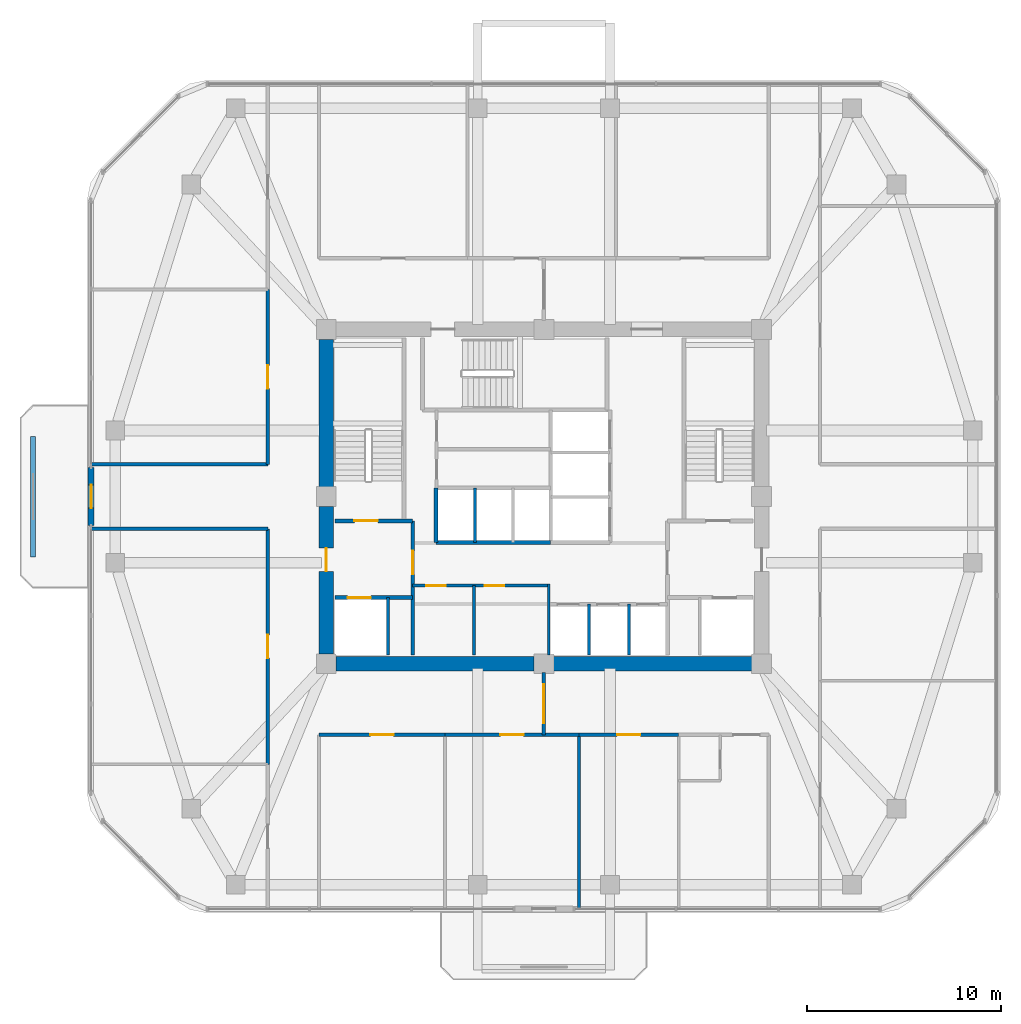
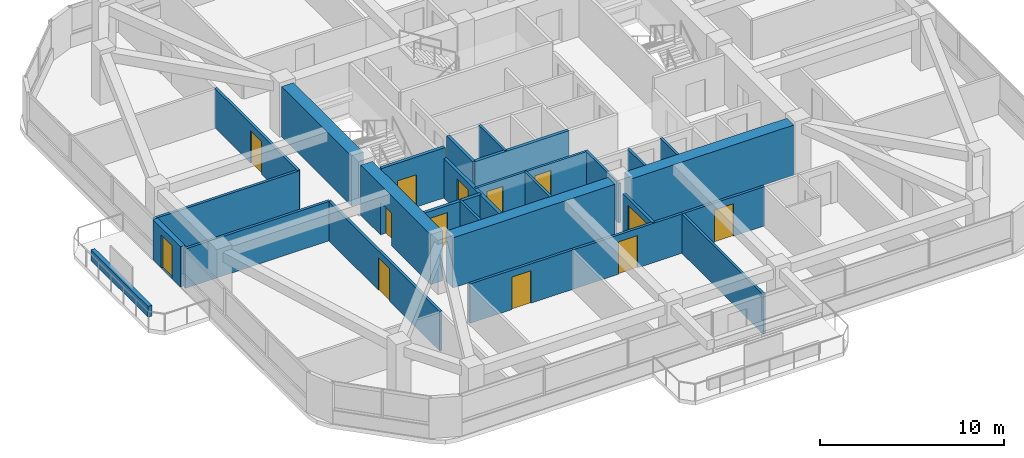
# One storey, part 7 of 12: 27 walls, 13 doors, 13 openings.
"""IFC4 building model written with IfcOpenShell, lengths in metres."""

from ifc_helpers import new_model, si_unit, derived_unit, direction, frame, frame_2d, origin, place, context, subcontext, project, spatial, rectangle, extrude, material, layer, layer_set, type_object, element, fill, save


model = new_model("IFC4")

# Units and contexts
model_context = context("Model", 3, precision=1e-05, world=origin(), true_north=direction((0.0, 1.0)))
body_context = subcontext(model_context, "Body", "Model", "MODEL_VIEW")
ifc_project = project(units=[si_unit("LENGTHUNIT", "METRE"), si_unit("AREAUNIT", "SQUARE_METRE"), si_unit("VOLUMEUNIT", "CUBIC_METRE"), si_unit("PLANEANGLEUNIT", "RADIAN"), si_unit("MASSUNIT", "GRAM", prefix="KILO"), derived_unit("THERMALTRANSMITTANCEUNIT", [(si_unit("POWERUNIT", "WATT"), 1), (si_unit("LENGTHUNIT", "METRE"), -2), (si_unit("THERMODYNAMICTEMPERATUREUNIT", "KELVIN"), -1)])], contexts=[model_context])

# Site, building, storey
site_placement = place(None, origin())
site = spatial("IfcSite", under=ifc_project, at=site_placement, CompositionType="ELEMENT")
building_placement = place(site_placement, origin())
building = spatial("IfcBuilding", under=site, at=building_placement, Name="Koralith Skygarden Medical Center", CompositionType="ELEMENT")
storey_placement = place(building_placement, frame((0.0, 0.0, 163.6201171875)))
storey = spatial("IfcBuildingStorey", under=building, at=storey_placement, Name="L42", CompositionType="ELEMENT", Elevation=163.6201171875)

# Wall, openings, doors
ifc_material_1 = material(Name="Gypsum Board Partition")
ifc_layer_1 = layer(ifc_material_1, 0.14990234375)
ifc_layer_set_1 = layer_set([ifc_layer_1], Name="Gypsum Board Partition")
wall_type_1 = type_object("IfcWallType", Name="Clinical Acoustic Partition 150", PredefinedType="PARTITIONING", material=ifc_layer_set_1)
wall_1_placement = place(storey_placement, frame((30.25, 21.320068359375, 0.0), z_axis=(0.0, 0.0, 1.0), x_axis=(1.0, 0.0, 0.0)))
wall_1 = element("IfcWall", 1, at=wall_1_placement, inside=storey, type_object=wall_type_1, Name="L42 Clinical Acoustic Partition 150 W-CORE-L42-FREED-LR-N", PredefinedType="PARTITIONING", context=body_context, shape_type="SweptSolid", body=[
    extrude(rectangle(XDim=7.0, YDim=0.14990234375, at=frame_2d((3.5, 0.0))), origin(), (0.0, 0.0, 1.0), 2.60986328125),
])
opening_1_placement = place(wall_1_placement, frame((0.699951171875, 0.0, 0.0)))
opening_1 = element("IfcOpeningElement", 2, at=opening_1_placement, cuts=wall_1, Name="Opening D-SUP", PredefinedType="OPENING", context=body_context, shape_type="SweptSolid", body=[
    extrude(rectangle(XDim=1.0, YDim=2.14990234375, at=frame_2d((0.5, 1.074951171875))), frame((0.0, 0.0849609375, 0.0), z_axis=(0.0, -1.0, 0.0), x_axis=(1.0, 0.0, 0.0)), (0.0, 0.0, 1.0), 0.169921875),
])
opening_2_placement = place(wall_1_placement, frame((3.699951171875, 0.0, 0.0)))
opening_2 = element("IfcOpeningElement", 3, at=opening_2_placement, cuts=wall_1, Name="Opening D-SUP", PredefinedType="OPENING", context=body_context, shape_type="SweptSolid", body=[
    extrude(rectangle(XDim=1.0, YDim=2.14990234375, at=frame_2d((0.5, 1.074951171875))), frame((0.0, 0.0849609375, 0.0), z_axis=(0.0, -1.0, 0.0), x_axis=(1.0, 0.0, 0.0)), (0.0, 0.0, 1.0), 0.169921875),
])
ifc_material_2 = material(Name="Aluminium 6063-T6", Category="aluminium")
door_type_1 = type_object("IfcDoorType", Name="Clinical Support Door D-SUP 1000", OperationType="NOTDEFINED", PredefinedType="DOOR", material=ifc_material_2)
door_1_placement = place(opening_1_placement, frame((1.0, 0.0, 0.0), z_axis=(0.0, 0.0, 1.0), x_axis=(-1.0, 0.0, 0.0)))
door_1 = element("IfcDoor", 4, at=door_1_placement, inside=storey, type_object=door_type_1, Name="L42 Medication Preparation Door", OperationType="SINGLE_SWING_LEFT", OverallHeight=2.14990234375, OverallWidth=1.0, PredefinedType="DOOR", context=body_context, shape_type="SweptSolid", body=[
    extrude(rectangle(XDim=1.0, YDim=2.14990234375, at=frame_2d((0.5, 1.074951171875))), frame((0.0, 0.02490234375, 0.0), z_axis=(0.0, -1.0, 0.0), x_axis=(1.0, 0.0, 0.0)), (0.0, 0.0, 1.0), 0.050048828125),
])
fill(opening_1, door_1)
door_2_placement = place(opening_2_placement, frame((1.0, 0.0, 0.0), z_axis=(0.0, 0.0, 1.0), x_axis=(-1.0, 0.0, 0.0)))
door_2 = element("IfcDoor", 5, at=door_2_placement, inside=storey, type_object=door_type_1, Name="L42 Telemetry Room Door", OperationType="SINGLE_SWING_RIGHT", OverallHeight=2.14990234375, OverallWidth=1.0, PredefinedType="DOOR", context=body_context, shape_type="SweptSolid", body=[
    extrude(rectangle(XDim=1.0, YDim=2.14990234375, at=frame_2d((0.5, 1.074951171875))), frame((0.0, 0.02490234375, 0.0), z_axis=(0.0, -1.0, 0.0), x_axis=(1.0, 0.0, 0.0)), (0.0, 0.0, 1.0), 0.050048828125),
])
fill(opening_2, door_2)

# Walls
wall_2_placement = place(storey_placement, frame((33.39990234375, 17.75, 0.0), z_axis=(0.0, 0.0, 1.0), x_axis=(0.0, 1.0, 0.0)))
element("IfcWall", 6, at=wall_2_placement, inside=storey, type_object=wall_type_1, Name="L42 Clinical Acoustic Partition 150 W-CORE-L42-FREED-LR-M", PredefinedType="PARTITIONING", context=body_context, shape_type="SweptSolid", body=[
    extrude(rectangle(XDim=3.570068359375, YDim=0.14990234375, at=frame_2d((1.78515625, 0.0))), origin(), (0.0, 0.0, 1.0), 2.60986328125),
])
wall_3_placement = place(storey_placement, frame((38.800048828125, 13.639892578125, 0.0), z_axis=(0.0, 0.0, 1.0), x_axis=(0.0, -1.0, 0.0)))
element("IfcWall", 7, at=wall_3_placement, inside=storey, type_object=wall_type_1, Name="L42 Clinical Acoustic Partition 150 W-PART-L42-S-02", PredefinedType="PARTITIONING", context=body_context, shape_type="SweptSolid", body=[
    extrude(rectangle(XDim=8.93994140625, YDim=0.14990234375, at=frame_2d((4.469970703125, 0.0))), origin(), (0.0, 0.0, 1.0), 2.60986328125),
])
ifc_layer_2 = layer(ifc_material_1, 0.1650390625)
ifc_layer_set_2 = layer_set([ifc_layer_2], Name="Gypsum Board Partition")
wall_type_2 = type_object("IfcWallType", Name="Clinical Corridor Partition 165", PredefinedType="PARTITIONING", material=ifc_layer_set_2)
for number, where, z_axis, x_axis, name in (
    (8, (13.716064453125, 24.239990234375, 0.0), (0.0, 0.0, 1.0), (1.0, 0.0, 0.0), "L42 Clinical Corridor Partition 165 W-HCOR-L42-EWS-W"),
    (9, (13.716064453125, 27.56005859375, 0.0), (0.0, 0.0, 1.0), (1.0, 0.0, 0.0), "L42 Clinical Corridor Partition 165 W-HCOR-L42-EWN-W"),
):
    element("IfcWall", number, at=place(storey_placement, frame(where, z_axis=z_axis, x_axis=x_axis)), inside=storey, type_object=wall_type_2, Name=name, PredefinedType="PARTITIONING", context=body_context, shape_type="SweptSolid", body=[
        extrude(rectangle(XDim=9.073974609375, YDim=0.1650390625, at=frame_2d((4.537109375, 0.0))), origin(), (0.0, 0.0, 1.0), 2.60986328125),
    ])

# Wall, opening, door
wall_4_placement = place(storey_placement, frame((25.429931640625, 13.639892578125, 0.0), z_axis=(0.0, 0.0, 1.0), x_axis=(1.0, 0.0, 0.0)))
wall_4 = element("IfcWall", 10, at=wall_4_placement, inside=storey, type_object=wall_type_2, Name="L42 Clinical Corridor Partition 165 W-CORR-L42-S-01", PredefinedType="PARTITIONING", context=body_context, shape_type="SweptSolid", body=[
    extrude(rectangle(XDim=6.484130859375, YDim=0.1650390625, at=frame_2d((3.2421875, 0.0))), origin(), (0.0, 0.0, 1.0), 2.60986328125),
])
opening_3_placement = place(wall_4_placement, frame((2.64208984375, 0.0, 0.0)))
opening_3 = element("IfcOpeningElement", 11, at=opening_3_placement, cuts=wall_4, Name="Opening D-CLN", PredefinedType="OPENING", context=body_context, shape_type="SweptSolid", body=[
    extrude(rectangle(XDim=1.199951171875, YDim=2.14990234375, at=frame_2d((0.60009765625, 1.074951171875))), frame((0.0, 0.092529296875, 0.0), z_axis=(0.0, -1.0, 0.0), x_axis=(1.0, 0.0, 0.0)), (0.0, 0.0, 1.0), 0.18505859375),
])
door_type_2 = type_object("IfcDoorType", Name="Clinical Corridor Door D-CLN 1200", OperationType="NOTDEFINED", PredefinedType="DOOR", material=ifc_material_2)
door_3_placement = place(opening_3_placement, frame((1.199951171875, 0.0, 0.0), z_axis=(0.0, 0.0, 1.0), x_axis=(-1.0, 0.0, 0.0)))
door_3 = element("IfcDoor", 12, at=door_3_placement, inside=storey, type_object=door_type_2, Name="L42 Clean Nursery Supply Store 04 Door", OperationType="SINGLE_SWING_LEFT", OverallHeight=2.14990234375, OverallWidth=1.199951171875, PredefinedType="DOOR", context=body_context, shape_type="SweptSolid", body=[
    extrude(rectangle(XDim=1.199951171875, YDim=2.14990234375, at=frame_2d((0.60009765625, 1.074951171875))), frame((0.0, 0.02490234375, 0.0), z_axis=(0.0, -1.0, 0.0), x_axis=(1.0, 0.0, 0.0)), (0.0, 0.0, 1.0), 0.050048828125),
])
fill(opening_3, door_3)

wall_5_placement = place(storey_placement, frame((31.9140625, 13.639892578125, 0.0), z_axis=(0.0, 0.0, 1.0), x_axis=(1.0, 0.0, 0.0)))
wall_5 = element("IfcWall", 13, at=wall_5_placement, inside=storey, type_object=wall_type_2, Name="L42 Clinical Corridor Partition 165 W-CORR-L42-S-02", PredefinedType="PARTITIONING", context=body_context, shape_type="SweptSolid", body=[
    extrude(rectangle(XDim=6.885986328125, YDim=0.1650390625, at=frame_2d((3.44287109375, 0.0))), origin(), (0.0, 0.0, 1.0), 2.60986328125),
])
opening_4_placement = place(wall_5_placement, frame((2.843017578125, 0.0, 0.0)))
opening_4 = element("IfcOpeningElement", 14, at=opening_4_placement, cuts=wall_5, Name="Opening D-CLN", PredefinedType="OPENING", context=body_context, shape_type="SweptSolid", body=[
    extrude(rectangle(XDim=1.199951171875, YDim=2.14990234375, at=frame_2d((0.60009765625, 1.074951171875))), frame((0.0, 0.092529296875, 0.0), z_axis=(0.0, -1.0, 0.0), x_axis=(1.0, 0.0, 0.0)), (0.0, 0.0, 1.0), 0.18505859375),
])
door_4_placement = place(opening_4_placement, frame((1.199951171875, 0.0, 0.0), z_axis=(0.0, 0.0, 1.0), x_axis=(-1.0, 0.0, 0.0)))
door_4 = element("IfcDoor", 15, at=door_4_placement, inside=storey, type_object=door_type_2, Name="L42 Patient and Family Sky-Garden Day Lounge 05 Door", OperationType="SINGLE_SWING_RIGHT", OverallHeight=2.14990234375, OverallWidth=1.199951171875, PredefinedType="DOOR", context=body_context, shape_type="SweptSolid", body=[
    extrude(rectangle(XDim=1.199951171875, YDim=2.14990234375, at=frame_2d((0.60009765625, 1.074951171875))), frame((0.0, 0.02490234375, 0.0), z_axis=(0.0, -1.0, 0.0), x_axis=(1.0, 0.0, 0.0)), (0.0, 0.0, 1.0), 0.050048828125),
])
fill(opening_4, door_4)

wall_6_placement = place(storey_placement, frame((38.800048828125, 13.639892578125, 0.0), z_axis=(0.0, 0.0, 1.0), x_axis=(1.0, 0.0, 0.0)))
wall_6 = element("IfcWall", 16, at=wall_6_placement, inside=storey, type_object=wall_type_2, Name="L42 Clinical Corridor Partition 165 W-CORR-L42-S-03", PredefinedType="PARTITIONING", context=body_context, shape_type="SweptSolid", body=[
    extrude(rectangle(XDim=5.135986328125, YDim=0.1650390625, at=frame_2d((2.56787109375, 0.0))), origin(), (0.0, 0.0, 1.0), 2.60986328125),
])
opening_5_placement = place(wall_6_placement, frame((1.968017578125, 0.0, 0.0)))
opening_5 = element("IfcOpeningElement", 17, at=opening_5_placement, cuts=wall_6, Name="Opening D-CLN", PredefinedType="OPENING", context=body_context, shape_type="SweptSolid", body=[
    extrude(rectangle(XDim=1.199951171875, YDim=2.14990234375, at=frame_2d((0.60009765625, 1.074951171875))), frame((0.0, 0.092529296875, 0.0), z_axis=(0.0, -1.0, 0.0), x_axis=(1.0, 0.0, 0.0)), (0.0, 0.0, 1.0), 0.18505859375),
])
door_5_placement = place(opening_5_placement, frame((1.199951171875, 0.0, 0.0), z_axis=(0.0, 0.0, 1.0), x_axis=(-1.0, 0.0, 0.0)))
door_5 = element("IfcDoor", 18, at=door_5_placement, inside=storey, type_object=door_type_2, Name="L42 Maternal Fetal Family Lounge 06 Door", OperationType="SINGLE_SWING_LEFT", OverallHeight=2.14990234375, OverallWidth=1.199951171875, PredefinedType="DOOR", context=body_context, shape_type="SweptSolid", body=[
    extrude(rectangle(XDim=1.199951171875, YDim=2.14990234375, at=frame_2d((0.60009765625, 1.074951171875))), frame((0.0, 0.02490234375, 0.0), z_axis=(0.0, -1.0, 0.0), x_axis=(1.0, 0.0, 0.0)), (0.0, 0.0, 1.0), 0.050048828125),
])
fill(opening_5, door_5)

wall_7_placement = place(storey_placement, frame((22.7900390625, 12.125, 0.0), z_axis=(0.0, 0.0, 1.0), x_axis=(0.0, 1.0, 0.0)))
wall_7 = element("IfcWall", 19, at=wall_7_placement, inside=storey, type_object=wall_type_2, Name="L42 Clinical Corridor Partition 165 W-CORR-L42-WS-02", PredefinedType="PARTITIONING", context=body_context, shape_type="SweptSolid", body=[
    extrude(rectangle(XDim=12.114990234375, YDim=0.1650390625, at=frame_2d((6.0576171875, 0.0))), origin(), (0.0, 0.0, 1.0), 2.60986328125),
])
opening_6_placement = place(wall_7_placement, frame((5.45703125, 0.0, 0.0)))
opening_6 = element("IfcOpeningElement", 20, at=opening_6_placement, cuts=wall_7, Name="Opening D-CLN", PredefinedType="OPENING", context=body_context, shape_type="SweptSolid", body=[
    extrude(rectangle(XDim=1.199951171875, YDim=2.14990234375, at=frame_2d((0.60009765625, 1.074951171875))), frame((0.0, 0.092529296875, 0.0), z_axis=(0.0, -1.0, 0.0), x_axis=(1.0, 0.0, 0.0)), (0.0, 0.0, 1.0), 0.18505859375),
])
door_6_placement = place(opening_6_placement, frame((1.199951171875, 0.0, 0.0), z_axis=(0.0, 0.0, 1.0), x_axis=(-1.0, 0.0, 0.0)))
door_6 = element("IfcDoor", 21, at=door_6_placement, inside=storey, type_object=door_type_2, Name="L42 Genetic Counseling Office 09 Door", OperationType="SINGLE_SWING_RIGHT", OverallHeight=2.14990234375, OverallWidth=1.199951171875, PredefinedType="DOOR", context=body_context, shape_type="SweptSolid", body=[
    extrude(rectangle(XDim=1.199951171875, YDim=2.14990234375, at=frame_2d((0.60009765625, 1.074951171875))), frame((0.0, 0.02490234375, 0.0), z_axis=(0.0, -1.0, 0.0), x_axis=(1.0, 0.0, 0.0)), (0.0, 0.0, 1.0), 0.050048828125),
])
fill(opening_6, door_6)

wall_8_placement = place(storey_placement, frame((22.7900390625, 27.56005859375, 0.0), z_axis=(0.0, 0.0, 1.0), x_axis=(0.0, 1.0, 0.0)))
wall_8 = element("IfcWall", 22, at=wall_8_placement, inside=storey, type_object=wall_type_2, Name="L42 Clinical Corridor Partition 165 W-CORR-L42-WN-01", PredefinedType="PARTITIONING", context=body_context, shape_type="SweptSolid", body=[
    extrude(rectangle(XDim=8.988037109375, YDim=0.1650390625, at=frame_2d((4.494140625, 0.0))), origin(), (0.0, 0.0, 1.0), 2.60986328125),
])
opening_7_placement = place(wall_8_placement, frame((3.89404296875, 0.0, 0.0)))
opening_7 = element("IfcOpeningElement", 23, at=opening_7_placement, cuts=wall_8, Name="Opening D-CLN", PredefinedType="OPENING", context=body_context, shape_type="SweptSolid", body=[
    extrude(rectangle(XDim=1.199951171875, YDim=2.14990234375, at=frame_2d((0.60009765625, 1.074951171875))), frame((0.0, 0.092529296875, 0.0), z_axis=(0.0, -1.0, 0.0), x_axis=(1.0, 0.0, 0.0)), (0.0, 0.0, 1.0), 0.18505859375),
])
door_7_placement = place(opening_7_placement, frame((1.199951171875, 0.0, 0.0), z_axis=(0.0, 0.0, 1.0), x_axis=(-1.0, 0.0, 0.0)))
door_7 = element("IfcDoor", 24, at=door_7_placement, inside=storey, type_object=door_type_2, Name="L42 Clean Nursery Supply Store 10 Door", OperationType="SINGLE_SWING_LEFT", OverallHeight=2.14990234375, OverallWidth=1.199951171875, PredefinedType="DOOR", context=body_context, shape_type="SweptSolid", body=[
    extrude(rectangle(XDim=1.199951171875, YDim=2.14990234375, at=frame_2d((0.60009765625, 1.074951171875))), frame((0.0, 0.02490234375, 0.0), z_axis=(0.0, -1.0, 0.0), x_axis=(1.0, 0.0, 0.0)), (0.0, 0.0, 1.0), 0.050048828125),
])
fill(opening_7, door_7)

ifc_layer_3 = layer(ifc_material_1, 0.199951171875)
ifc_layer_set_3 = layer_set([ifc_layer_3], Name="Gypsum Board Partition")
wall_type_3 = type_object("IfcWallType", Name="Fire Shaft Wall 200", PredefinedType="SOLIDWALL", material=ifc_layer_set_3)
wall_9_placement = place(storey_placement, frame((26.25, 20.699951171875, 0.0), z_axis=(0.0, 0.0, 1.0), x_axis=(1.0, 0.0, 0.0)))
wall_9 = element("IfcWall", 25, at=wall_9_placement, inside=storey, type_object=wall_type_3, Name="L42 Fire Shaft Wall 200 W-CORE-L42-FF1-N", PredefinedType="SOLIDWALL", context=body_context, shape_type="SweptSolid", body=[
    extrude(rectangle(XDim=4.0, YDim=0.199951171875, at=frame_2d((2.0, 0.0))), origin(), (0.0, 0.0, 1.0), 2.60986328125),
])
opening_8_placement = place(wall_9_placement, frame((0.64990234375, 0.0, 0.0)))
opening_8 = element("IfcOpeningElement", 26, at=opening_8_placement, cuts=wall_9, Name="Opening LD-FF", PredefinedType="OPENING", context=body_context, shape_type="SweptSolid", body=[
    extrude(rectangle(XDim=1.199951171875, YDim=2.14990234375, at=frame_2d((0.60009765625, 1.074951171875))), frame((0.0, 0.10986328125, 0.0), z_axis=(0.0, -1.0, 0.0), x_axis=(1.0, 0.0, 0.0)), (0.0, 0.0, 1.0), 0.219970703125),
])
ifc_material_3 = material(Name="Steel ASTM A500 Grade C", Category="steel")
door_type_3 = type_object("IfcDoorType", Name="Fire Lift Sliding Landing Door LD-FF 1200", OperationType="NOTDEFINED", PredefinedType="DOOR", material=ifc_material_3)
door_8_placement = place(opening_8_placement, origin())
door_8 = element("IfcDoor", 27, at=door_8_placement, inside=storey, type_object=door_type_3, Name="L42 Fire Service Elevator FF1 Landing Door", OperationType="SLIDING_TO_LEFT", OverallHeight=2.14990234375, OverallWidth=1.199951171875, PredefinedType="DOOR", context=body_context, shape_type="SweptSolid", body=[
    extrude(rectangle(XDim=1.199951171875, YDim=2.14990234375, at=frame_2d((0.60009765625, 1.074951171875))), frame((0.0, 0.02490234375, 0.0), z_axis=(0.0, -1.0, 0.0), x_axis=(1.0, 0.0, 0.0)), (0.0, 0.0, 1.0), 0.050048828125),
])
fill(opening_8, door_8)

wall_10_placement = place(storey_placement, frame((30.25, 17.75, 0.0), z_axis=(0.0, 0.0, 1.0), x_axis=(0.0, 1.0, 0.0)))
wall_10 = element("IfcWall", 28, at=wall_10_placement, inside=storey, type_object=wall_type_3, Name="L42 Fire Shaft Wall 200 W-CORE-L42-FSAEW-E", PredefinedType="SOLIDWALL", context=body_context, shape_type="SweptSolid", body=[
    extrude(rectangle(XDim=6.89990234375, YDim=0.199951171875, at=frame_2d((3.449951171875, 0.0))), origin(), (0.0, 0.0, 1.0), 2.60986328125),
])
opening_9_placement = place(wall_10_placement, frame((4.14990234375, 0.0, 0.0)))
opening_9 = element("IfcOpeningElement", 29, at=opening_9_placement, cuts=wall_10, Name="Opening D-ST60", PredefinedType="OPENING", context=body_context, shape_type="SweptSolid", body=[
    extrude(rectangle(XDim=1.199951171875, YDim=2.14990234375, at=frame_2d((0.60009765625, 1.074951171875))), frame((0.0, 0.10986328125, 0.0), z_axis=(0.0, -1.0, 0.0), x_axis=(1.0, 0.0, 0.0)), (0.0, 0.0, 1.0), 0.219970703125),
])
door_type_4 = type_object("IfcDoorType", Name="Smokeproof Stair Fire Door FD60S 1200", OperationType="NOTDEFINED", PredefinedType="DOOR", material=ifc_material_3)
door_9_placement = place(opening_9_placement, origin())
door_9 = element("IfcDoor", 30, at=door_9_placement, inside=storey, type_object=door_type_4, Name="L42 West Firefighting Lobby Inner Fire Door", OperationType="SINGLE_SWING_LEFT", OverallHeight=2.14990234375, OverallWidth=1.199951171875, PredefinedType="DOOR", context=body_context, shape_type="SweptSolid", body=[
    extrude(rectangle(XDim=1.199951171875, YDim=2.14990234375, at=frame_2d((0.60009765625, 1.074951171875))), frame((0.0, 0.02490234375, 0.0), z_axis=(0.0, -1.0, 0.0), x_axis=(1.0, 0.0, 0.0)), (0.0, 0.0, 1.0), 0.050048828125),
])
fill(opening_9, door_9)

# Walls
wall_11_placement = place(storey_placement, frame((31.449951171875, 23.5400390625, 0.0), z_axis=(0.0, 0.0, 1.0), x_axis=(1.0, 0.0, 0.0)))
element("IfcWall", 31, at=wall_11_placement, inside=storey, type_object=wall_type_3, Name="L42 Fire Shaft Wall 200 W-CORE-L42-PH-S", PredefinedType="SOLIDWALL", context=body_context, shape_type="SweptSolid", body=[
    extrude(rectangle(XDim=5.900146484375, YDim=0.199951171875, at=frame_2d((2.9501953125, 0.0))), origin(), (0.0, 0.0, 1.0), 2.60986328125),
])
wall_12_placement = place(storey_placement, frame((31.449951171875, 23.5400390625, 0.0), z_axis=(0.0, 0.0, 1.0), x_axis=(0.0, 1.0, 0.0)))
element("IfcWall", 32, at=wall_12_placement, inside=storey, type_object=wall_type_3, Name="L42 Fire Shaft Wall 200 W-CORE-L42-PH-W", PredefinedType="SOLIDWALL", context=body_context, shape_type="SweptSolid", body=[
    extrude(rectangle(XDim=2.81005859375, YDim=0.199951171875, at=frame_2d((1.405029296875, 0.0))), origin(), (0.0, 0.0, 1.0), 2.60986328125),
])

# Wall, opening, door
ifc_layer_4 = layer(ifc_material_1, 0.179931640625)
ifc_layer_set_4 = layer_set([ifc_layer_4], Name="Gypsum Board Partition")
wall_type_4 = type_object("IfcWallType", Name="Group I-2 Smoke Barrier Wall 180", PredefinedType="PARTITIONING", material=ifc_layer_set_4)
wall_13_placement = place(storey_placement, frame((37.0, 13.639892578125, 0.0), z_axis=(0.0, 0.0, 1.0), x_axis=(0.0, 1.0, 0.0)))
wall_13 = element("IfcWall", 33, at=wall_13_placement, inside=storey, type_object=wall_type_4, Name="L42 Group I-2 Smoke Barrier Wall 180 W-SMK-L42-S", PredefinedType="PARTITIONING", context=body_context, shape_type="SweptSolid", body=[
    extrude(rectangle(XDim=3.210205078125, YDim=0.179931640625, at=frame_2d((1.60498046875, 0.0))), origin(), (0.0, 0.0, 1.0), 2.60986328125),
])
opening_10_placement = place(wall_13_placement, frame((0.60498046875, 0.0, 0.0)))
opening_10 = element("IfcOpeningElement", 34, at=opening_10_placement, cuts=wall_13, Name="Opening D-SMK", PredefinedType="OPENING", context=body_context, shape_type="SweptSolid", body=[
    extrude(rectangle(XDim=2.0, YDim=2.199951171875, at=frame_2d((1.0, 1.10009765625))), frame((0.0, 0.099853515625, 0.0), z_axis=(0.0, -1.0, 0.0), x_axis=(1.0, 0.0, 0.0)), (0.0, 0.0, 1.0), 0.199951171875),
])
door_type_5 = type_object("IfcDoorType", Name="Cross-Corridor Double Smoke Door FD60S 2000", OperationType="NOTDEFINED", PredefinedType="DOOR", material=ifc_material_3)
door_10_placement = place(opening_10_placement, frame((2.0, 0.0, 0.0), z_axis=(0.0, 0.0, 1.0), x_axis=(-1.0, 0.0, 0.0)))
door_10 = element("IfcDoor", 35, at=door_10_placement, inside=storey, type_object=door_type_5, Name="L42 S Smoke Compartment Cross-Corridor Door", OperationType="DOUBLE_DOOR_SINGLE_SWING", OverallHeight=2.199951171875, OverallWidth=2.0, PredefinedType="DOOR", context=body_context, shape_type="SweptSolid", body=[
    extrude(rectangle(XDim=2.0, YDim=2.199951171875, at=frame_2d((1.0, 1.10009765625))), frame((0.0, 0.02490234375, 0.0), z_axis=(0.0, -1.0, 0.0), x_axis=(1.0, 0.0, 0.0)), (0.0, 0.0, 1.0), 0.050048828125),
])
fill(opening_10, door_10)

# Walls
ifc_material_4 = material(Name="Concrete C70/85", Category="concrete")
ifc_layer_5 = layer(ifc_material_4, 0.75)
ifc_layer_set_5 = layer_set([ifc_layer_5], Name="Concrete C70/85")
wall_type_5 = type_object("IfcWallType", Name="Mid Core Shear Wall 750", PredefinedType="SHEAR", material=ifc_layer_set_5)
for number, where, z_axis, x_axis, name in (
    (36, (26.304931640625, 17.300048828125, 0.0), (0.0, 0.0, 1.0), (1.0, 0.0, 0.0), "L42 Core Shear Wall Segment 1"),
    (37, (37.5048828125, 17.300048828125, 0.0), (0.0, 0.0, 1.0), (1.0, 0.0, 0.0), "L42 Core Shear Wall Segment 2"),
):
    element("IfcWall", number, at=place(storey_placement, frame(where, z_axis=z_axis, x_axis=x_axis)), inside=storey, type_object=wall_type_5, Name=name, PredefinedType="SHEAR", context=body_context, shape_type="SweptSolid", body=[
        extrude(rectangle(XDim=10.190185546875, YDim=0.75, at=frame_2d((5.09521484375, 0.0))), origin(), (0.0, 0.0, 1.0), 3.31982421875),
    ])
wall_14_placement = place(storey_placement, frame((25.800048828125, 33.9951171875, 0.0), z_axis=(0.0, 0.0, 1.0), x_axis=(0.0, -1.0, 0.0)))
element("IfcWall", 38, at=wall_14_placement, inside=storey, type_object=wall_type_5, Name="L42 Core Shear Wall Segment 7", PredefinedType="SHEAR", context=body_context, shape_type="SweptSolid", body=[
    extrude(rectangle(XDim=7.590087890625, YDim=0.75, at=frame_2d((3.794921875, 0.0))), origin(), (0.0, 0.0, 1.0), 3.31982421875),
])

# Wall, opening, door
wall_15_placement = place(storey_placement, frame((25.800048828125, 25.39501953125, 0.0), z_axis=(0.0, 0.0, 1.0), x_axis=(0.0, -1.0, 0.0)))
wall_15 = element("IfcWall", 39, at=wall_15_placement, inside=storey, type_object=wall_type_5, Name="L42 Core Shear Wall Segment 8", PredefinedType="SHEAR", context=body_context, shape_type="SweptSolid", body=[
    extrude(rectangle(XDim=7.590087890625, YDim=0.75, at=frame_2d((3.794921875, 0.0))), origin(), (0.0, 0.0, 1.0), 3.31982421875),
])
opening_11_placement = place(wall_15_placement, frame((2.14501953125, 0.0, 0.0)))
opening_11 = element("IfcOpeningElement", 40, at=opening_11_placement, cuts=wall_15, Name="Opening D-ST60", PredefinedType="OPENING", context=body_context, shape_type="SweptSolid", body=[
    extrude(rectangle(XDim=1.199951171875, YDim=2.14990234375, at=frame_2d((0.60009765625, 1.074951171875))), frame((0.0, 0.385009765625, 0.0), z_axis=(0.0, -1.0, 0.0), x_axis=(1.0, 0.0, 0.0)), (0.0, 0.0, 1.0), 0.77001953125),
])
door_11_placement = place(opening_11_placement, frame((1.199951171875, 0.0, 0.0), z_axis=(0.0, 0.0, 1.0), x_axis=(-1.0, 0.0, 0.0)))
door_11 = element("IfcDoor", 41, at=door_11_placement, inside=storey, type_object=door_type_4, Name="L42 West Corridor to Firefighting Lobby Door", OperationType="SINGLE_SWING_LEFT", OverallHeight=2.14990234375, OverallWidth=1.199951171875, PredefinedType="DOOR", context=body_context, shape_type="SweptSolid", body=[
    extrude(rectangle(XDim=1.199951171875, YDim=2.14990234375, at=frame_2d((0.60009765625, 1.074951171875))), frame((0.0, 0.02490234375, 0.0), z_axis=(0.0, -1.0, 0.0), x_axis=(1.0, 0.0, 0.0)), (0.0, 0.0, 1.0), 0.050048828125),
])
fill(opening_11, door_11)

ifc_material_5 = material(Name="Warm Oolitic Limestone Cladding", Category="masonry")
ifc_layer_6 = layer(ifc_material_5, 0.300048828125)
ifc_layer_set_6 = layer_set([ifc_layer_6], Name="Warm Oolitic Limestone Cladding")
wall_type_6 = type_object("IfcWallType", Name="Oolitic Limestone Insulated Facade Wall 300", PredefinedType="SOLIDWALL", material=ifc_layer_set_6)
wall_16_placement = place(storey_placement, frame((13.696044921875, 27.39990234375, 0.0), z_axis=(0.0, 0.0, 1.0), x_axis=(0.0, -1.0, 0.0)))
wall_16 = element("IfcWall", 42, at=wall_16_placement, inside=storey, type_object=wall_type_6, Name="L42 Terrace Portal Wall W", PredefinedType="SOLIDWALL", context=body_context, shape_type="SweptSolid", body=[
    extrude(rectangle(XDim=3.0, YDim=0.300048828125, at=frame_2d((1.5, 0.0))), origin(), (0.0, 0.0, 1.0), 2.669921875),
])
opening_12_placement = place(wall_16_placement, frame((0.89990234375, 0.0, 0.0)))
opening_12 = element("IfcOpeningElement", 43, at=opening_12_placement, cuts=wall_16, Name="Opening D-BAL", PredefinedType="OPENING", context=body_context, shape_type="SweptSolid", body=[
    extrude(rectangle(XDim=1.199951171875, YDim=2.199951171875, at=frame_2d((0.60009765625, 1.10009765625))), frame((0.0, 0.159912109375, 0.0), z_axis=(0.0, -1.0, 0.0), x_axis=(1.0, 0.0, 0.0)), (0.0, 0.0, 1.0), 0.320068359375),
])
door_type_6 = type_object("IfcDoorType", Name="Planted Balcony Glazed Terrace Door D-BAL 1200", OperationType="NOTDEFINED", PredefinedType="DOOR", material=ifc_material_2)
door_12_placement = place(opening_12_placement, origin())
door_12 = element("IfcDoor", 44, at=door_12_placement, inside=storey, type_object=door_type_6, Name="L42 W Outdoor Terrace Access Door", OperationType="SINGLE_SWING_LEFT", OverallHeight=2.199951171875, OverallWidth=1.199951171875, PredefinedType="DOOR", context=body_context, shape_type="SweptSolid", body=[
    extrude(rectangle(XDim=1.199951171875, YDim=2.199951171875, at=frame_2d((0.60009765625, 1.10009765625))), frame((0.0, 0.02490234375, 0.0), z_axis=(0.0, -1.0, 0.0), x_axis=(1.0, 0.0, 0.0)), (0.0, 0.0, 1.0), 0.050048828125),
])
fill(opening_12, door_12)

# Walls
ifc_layer_7 = layer(ifc_material_1, 0.14990234375)
ifc_layer_set_7 = layer_set([ifc_layer_7], Name="Gypsum Board Partition")
wall_type_7 = type_object("IfcWallType", Name="Shaft Partition Wall 150", PredefinedType="PARTITIONING", material=ifc_layer_set_7)
wall_17_placement = place(storey_placement, frame((28.969970703125, 17.75, 0.0), z_axis=(0.0, 0.0, 1.0), x_axis=(0.0, 1.0, 0.0)))
element("IfcWall", 45, at=wall_17_placement, inside=storey, type_object=wall_type_7, Name="L42 Shaft Partition Wall 150 W-CORE-L42-RSRW-DIV", PredefinedType="PARTITIONING", context=body_context, shape_type="SweptSolid", body=[
    extrude(rectangle(XDim=2.949951171875, YDim=0.14990234375, at=frame_2d((1.47509765625, 0.0))), origin(), (0.0, 0.0, 1.0), 2.60986328125),
])
for number, where, z_axis, x_axis, name in (
    (46, (39.320068359375, 17.75, 0.0), (0.0, 0.0, 1.0), (0.0, 1.0, 0.0), "L42 Shaft Partition Wall 150 W-CORE-L42-PM-D1"),
    (47, (41.3701171875, 17.75, 0.0), (0.0, 0.0, 1.0), (0.0, 1.0, 0.0), "L42 Shaft Partition Wall 150 W-CORE-L42-PM-D2"),
):
    element("IfcWall", number, at=place(storey_placement, frame(where, z_axis=z_axis, x_axis=x_axis)), inside=storey, type_object=wall_type_7, Name=name, PredefinedType="PARTITIONING", context=body_context, shape_type="SweptSolid", body=[
        extrude(rectangle(XDim=2.610107421875, YDim=0.14990234375, at=frame_2d((1.30517578125, 0.0))), origin(), (0.0, 0.0, 1.0), 2.60986328125),
    ])
wall_18_placement = place(storey_placement, frame((37.25, 17.75, 0.0), z_axis=(0.0, 0.0, 1.0), x_axis=(0.0, 1.0, 0.0)))
element("IfcWall", 48, at=wall_18_placement, inside=storey, type_object=wall_type_7, Name="L42 Shaft Partition Wall 150 W-CORE-L42-PL-PM-SEP", PredefinedType="PARTITIONING", context=body_context, shape_type="SweptSolid", body=[
    extrude(rectangle(XDim=3.64990234375, YDim=0.14990234375, at=frame_2d((1.824951171875, 0.0))), origin(), (0.0, 0.0, 1.0), 2.60986328125),
])
wall_19_placement = place(storey_placement, frame((33.449951171875, 23.5400390625, 0.0), z_axis=(0.0, 0.0, 1.0), x_axis=(0.0, 1.0, 0.0)))
element("IfcWall", 49, at=wall_19_placement, inside=storey, type_object=wall_type_7, Name="L42 Shaft Partition Wall 150 W-CORE-L42-PH-D1", PredefinedType="PARTITIONING", context=body_context, shape_type="SweptSolid", body=[
    extrude(rectangle(XDim=2.81005859375, YDim=0.14990234375, at=frame_2d((1.405029296875, 0.0))), origin(), (0.0, 0.0, 1.0), 2.60986328125),
])
ifc_material_6 = material(Name="Precast concrete C40/50", Category="concrete")
ifc_layer_8 = layer(ifc_material_6, 0.25)
ifc_layer_set_8 = layer_set([ifc_layer_8], Name="Precast concrete C40/50")
wall_type_8 = type_object("IfcWallType", Name="Structural Concrete Balcony Planter Kerb 250", PredefinedType="PARAPET", material=ifc_layer_set_8)
wall_20_placement = place(storey_placement, frame((10.716064453125, 22.800048828125, 0.0), z_axis=(0.0, 0.0, 1.0), x_axis=(0.0, 1.0, 0.0)))
element("IfcWall", 50, at=wall_20_placement, inside=storey, type_object=wall_type_8, Name="L42 W Structural Tree PLANTER Box", PredefinedType="PARAPET", context=body_context, shape_type="SweptSolid", body=[
    extrude(rectangle(XDim=6.199951171875, YDim=0.25, at=frame_2d((3.10009765625, 0.0))), origin(), (0.0, 0.0, 1.0), 0.719970703125),
])

# Wall, opening, door
ifc_material_7 = material(Name="Concrete C45/55", Category="concrete")
ifc_layer_9 = layer(ifc_material_7, 0.199951171875)
ifc_layer_set_9 = layer_set([ifc_layer_9], Name="Concrete C45/55")
wall_type_9 = type_object("IfcWallType", Name="Structural Stair Shaft Wall 200", PredefinedType="SHEAR", material=ifc_layer_set_9)
wall_21_placement = place(storey_placement, frame((26.25, 24.64990234375, 0.0), z_axis=(0.0, 0.0, 1.0), x_axis=(1.0, 0.0, 0.0)))
wall_21 = element("IfcWall", 51, at=wall_21_placement, inside=storey, type_object=wall_type_9, Name="L42 Structural Stair Shaft Wall 200 W-CORE-L42-ST1-S", PredefinedType="SHEAR", context=body_context, shape_type="SweptSolid", body=[
    extrude(rectangle(XDim=4.0, YDim=0.199951171875, at=frame_2d((2.0, 0.0))), origin(), (0.0, 0.0, 1.0), 3.31982421875),
])
opening_13_placement = place(wall_21_placement, frame((1.0, 0.0, 0.0)))
opening_13 = element("IfcOpeningElement", 52, at=opening_13_placement, cuts=wall_21, Name="Opening D-ST60", PredefinedType="OPENING", context=body_context, shape_type="SweptSolid", body=[
    extrude(rectangle(XDim=1.199951171875, YDim=2.14990234375, at=frame_2d((0.60009765625, 1.074951171875))), frame((0.0, 0.10986328125, 0.0), z_axis=(0.0, -1.0, 0.0), x_axis=(1.0, 0.0, 0.0)), (0.0, 0.0, 1.0), 0.219970703125),
])
door_13_placement = place(opening_13_placement, origin())
door_13 = element("IfcDoor", 53, at=door_13_placement, inside=storey, type_object=door_type_4, Name="L42 Exit Stair ST1 Fire Door", OperationType="SINGLE_SWING_LEFT", OverallHeight=2.14990234375, OverallWidth=1.199951171875, PredefinedType="DOOR", context=body_context, shape_type="SweptSolid", body=[
    extrude(rectangle(XDim=1.199951171875, YDim=2.14990234375, at=frame_2d((0.60009765625, 1.074951171875))), frame((0.0, 0.02490234375, 0.0), z_axis=(0.0, -1.0, 0.0), x_axis=(1.0, 0.0, 0.0)), (0.0, 0.0, 1.0), 0.050048828125),
])
fill(opening_13, door_13)

save(model, "model.ifc")
